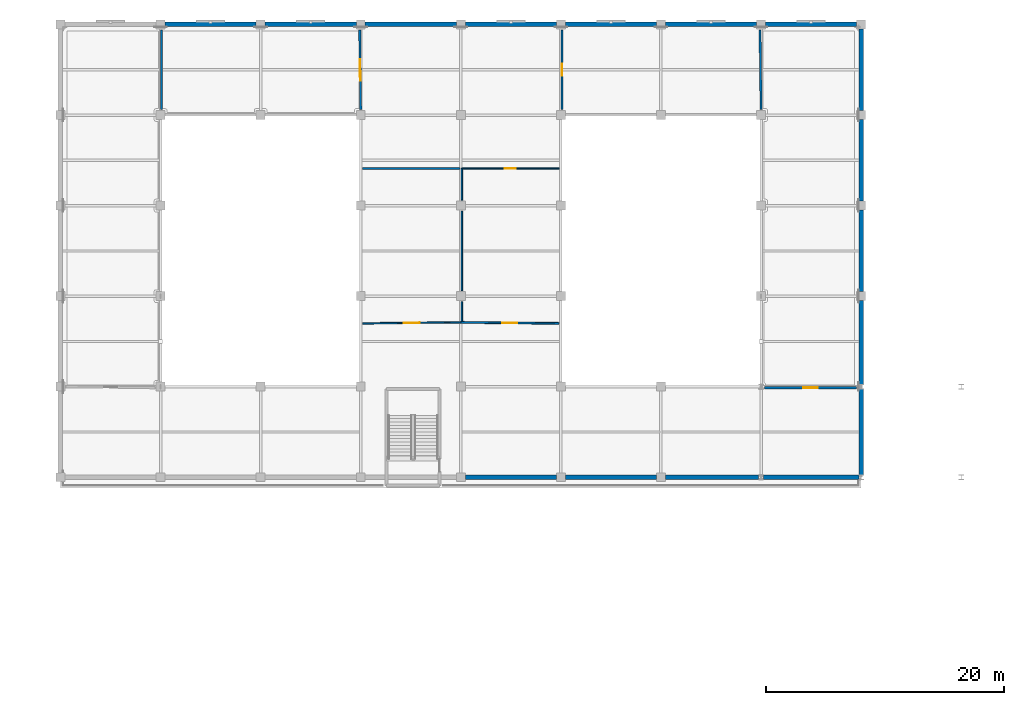
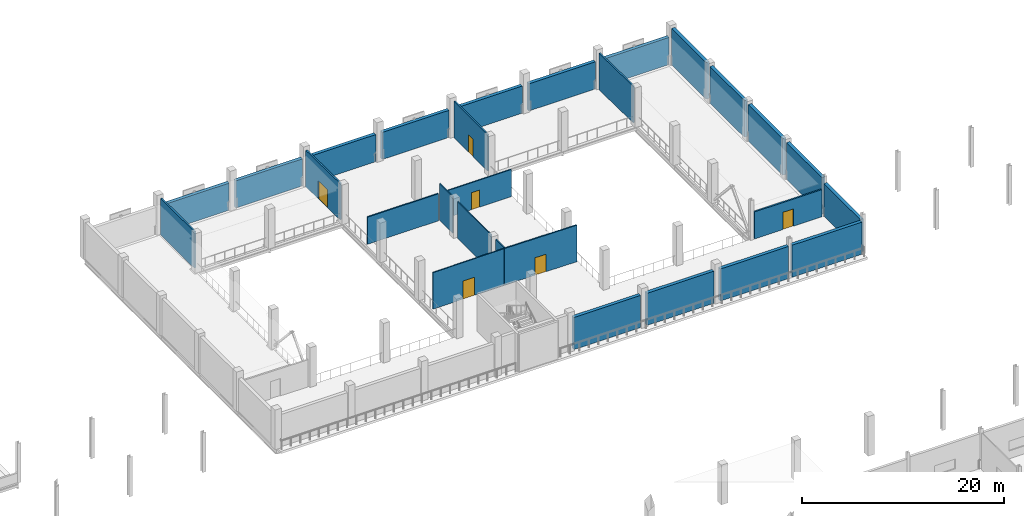
# One storey, part 29 of 51: 28 walls, 6 doors, 6 openings.
"""IFC4 building model written with IfcOpenShell, lengths in metres."""

from ifc_helpers import new_model, si_unit, direction, frame, frame_2d, origin, place, context, subcontext, project, spatial, rectangle, extrude, material, layer, layer_set, type_object, element, fill, save


model = new_model("IFC4")

# Units and contexts
model_context = context("Model", 3, precision=1e-05, world=origin(), true_north=direction((0.0, 1.0)))
body_context = subcontext(model_context, "Body", "Model", "MODEL_VIEW")
ifc_project = project(units=[si_unit("LENGTHUNIT", "METRE"), si_unit("AREAUNIT", "SQUARE_METRE"), si_unit("VOLUMEUNIT", "CUBIC_METRE"), si_unit("PLANEANGLEUNIT", "RADIAN"), si_unit("MASSUNIT", "GRAM", prefix="KILO")], contexts=[model_context])

# Site, building, storey
site_placement = place(None, origin())
site = spatial("IfcSite", under=ifc_project, at=site_placement, CompositionType="ELEMENT")
building_placement = place(site_placement, origin())
building = spatial("IfcBuilding", under=site, at=building_placement, Name="Zuvorla Pavilion Media Centre", CompositionType="ELEMENT")
storey_placement = place(building_placement, frame((0.0, 0.0, 4.800048828125)))
storey = spatial("IfcBuildingStorey", under=building, at=storey_placement, Name="L01", CompositionType="ELEMENT", Elevation=4.800048828125)

# Walls
ifc_material_1 = material(Name="Dark charcoal terracotta concrete C40/50", Category="masonry")
ifc_layer_1 = layer(ifc_material_1, 0.3798828125)
ifc_layer_set_1 = layer_set([ifc_layer_1], Name="Dark charcoal terracotta concrete C40/50")
wall_type_1 = type_object("IfcWallType", Name="WL-EXT-380", PredefinedType="SOLIDWALL", material=ifc_layer_set_1)
wall_1_placement = place(storey_placement, frame((100.77490234375, 82.0, 0.0), z_axis=(0.0, 0.0, 1.0), x_axis=(1.0, 0.0, 0.0)))
element("IfcWall", 1, at=wall_1_placement, inside=storey, type_object=wall_type_1, Name="L01 exterior solid wall EW01 124", PredefinedType="SOLIDWALL", context=body_context, shape_type="SweptSolid", body=[
    extrude(rectangle(XDim=7.650146484375, YDim=0.3798828125, at=frame_2d((3.8251953125, 0.0))), origin(), (0.0, 0.0, 1.0), 3.894775390625),
])
wall_2_placement = place(storey_placement, frame((109.175048828125, 82.0, 0.0), z_axis=(0.0, 0.0, 1.0), x_axis=(1.0, 0.0, 0.0)))
element("IfcWall", 2, at=wall_2_placement, inside=storey, type_object=wall_type_1, Name="L01 exterior solid wall EW01 125", PredefinedType="SOLIDWALL", context=body_context, shape_type="SweptSolid", body=[
    extrude(rectangle(XDim=7.64990234375, YDim=0.3798828125, at=frame_2d((3.824951171875, 0.0))), origin(), (0.0, 0.0, 1.0), 3.894775390625),
])
wall_3_placement = place(storey_placement, frame((117.574951171875, 82.0, 0.0), z_axis=(0.0, 0.0, 1.0), x_axis=(1.0, 0.0, 0.0)))
element("IfcWall", 3, at=wall_3_placement, inside=storey, type_object=wall_type_1, Name="L01 exterior solid wall EW01 126", PredefinedType="SOLIDWALL", context=body_context, shape_type="SweptSolid", body=[
    extrude(rectangle(XDim=7.825439453125, YDim=0.3798828125, at=frame_2d((3.91259765625, 0.0))), origin(), (0.0, 0.0, 1.0), 3.894775390625),
])
wall_4_placement = place(storey_placement, frame((125.799560546875, 82.0, 0.0), z_axis=(0.0, 0.0, 1.0), x_axis=(1.0, 0.0, 0.0)))
element("IfcWall", 4, at=wall_4_placement, inside=storey, type_object=wall_type_1, Name="L01 exterior solid wall EW01 127", PredefinedType="SOLIDWALL", context=body_context, shape_type="SweptSolid", body=[
    extrude(rectangle(XDim=8.0009765625, YDim=0.3798828125, at=frame_2d((4.00048828125, 0.0))), origin(), (0.0, 0.0, 1.0), 3.894775390625),
])
wall_5_placement = place(storey_placement, frame((134.0, 82.19677734375, 0.0), z_axis=(0.0, 0.0, 1.0), x_axis=(0.0, 1.0, 0.0)))
element("IfcWall", 5, at=wall_5_placement, inside=storey, type_object=wall_type_1, Name="L01 exterior solid wall EW01 128", PredefinedType="SOLIDWALL", context=body_context, shape_type="SweptSolid", body=[
    extrude(rectangle(XDim=7.20654296875, YDim=0.3798828125, at=frame_2d((3.603271484375, 0.0))), origin(), (0.0, 0.0, 1.0), 3.970458984375),
])
wall_6_placement = place(storey_placement, frame((134.0, 89.796875, 0.0), z_axis=(0.0, 0.0, 1.0), x_axis=(0.0, 1.0, 0.0)))
element("IfcWall", 6, at=wall_6_placement, inside=storey, type_object=wall_type_1, Name="L01 exterior solid wall EW01 129", PredefinedType="SOLIDWALL", context=body_context, shape_type="SweptSolid", body=[
    extrude(rectangle(XDim=7.028076171875, YDim=0.3798828125, at=frame_2d((3.51416015625, 0.0))), origin(), (0.0, 0.0, 1.0), 4.429931640625),
])
wall_7_placement = place(storey_placement, frame((134.0, 97.574951171875, 0.0), z_axis=(0.0, 0.0, 1.0), x_axis=(0.0, 1.0, 0.0)))
element("IfcWall", 7, at=wall_7_placement, inside=storey, type_object=wall_type_1, Name="L01 exterior solid wall EW01 130", PredefinedType="SOLIDWALL", context=body_context, shape_type="SweptSolid", body=[
    extrude(rectangle(XDim=6.85009765625, YDim=0.3798828125, at=frame_2d((3.425048828125, 0.0))), origin(), (0.0, 0.0, 1.0), 4.429931640625),
])
wall_8_placement = place(storey_placement, frame((134.0, 105.175048828125, 0.0), z_axis=(0.0, 0.0, 1.0), x_axis=(0.0, 1.0, 0.0)))
element("IfcWall", 8, at=wall_8_placement, inside=storey, type_object=wall_type_1, Name="L01 exterior solid wall EW01 131", PredefinedType="SOLIDWALL", context=body_context, shape_type="SweptSolid", body=[
    extrude(rectangle(XDim=6.849853515625, YDim=0.3798828125, at=frame_2d((3.4248046875, 0.0))), origin(), (0.0, 0.0, 1.0), 4.429931640625),
])
wall_9_placement = place(storey_placement, frame((134.0, 112.77490234375, 0.0), z_axis=(0.0, 0.0, 1.0), x_axis=(0.0, 1.0, 0.0)))
element("IfcWall", 9, at=wall_9_placement, inside=storey, type_object=wall_type_1, Name="L01 exterior solid wall EW01 132", PredefinedType="SOLIDWALL", context=body_context, shape_type="SweptSolid", body=[
    extrude(rectangle(XDim=6.85009765625, YDim=0.3798828125, at=frame_2d((3.425048828125, 0.0))), origin(), (0.0, 0.0, 1.0), 4.429931640625),
])
wall_10_placement = place(storey_placement, frame((133.625, 120.0, 0.0), z_axis=(0.0, 0.0, 1.0), x_axis=(-1.0, 0.0, 0.0)))
element("IfcWall", 10, at=wall_10_placement, inside=storey, type_object=wall_type_1, Name="L01 exterior solid wall EW01 133", PredefinedType="SOLIDWALL", context=body_context, shape_type="SweptSolid", body=[
    extrude(rectangle(XDim=7.64990234375, YDim=0.3798828125, at=frame_2d((3.824951171875, 0.0))), origin(), (0.0, 0.0, 1.0), 3.286865234375),
])
wall_11_placement = place(storey_placement, frame((125.22509765625, 120.0, 0.0), z_axis=(0.0, 0.0, 1.0), x_axis=(-1.0, 0.0, 0.0)))
element("IfcWall", 11, at=wall_11_placement, inside=storey, type_object=wall_type_1, Name="L01 exterior solid wall EW01 134", PredefinedType="SOLIDWALL", context=body_context, shape_type="SweptSolid", body=[
    extrude(rectangle(XDim=7.650146484375, YDim=0.3798828125, at=frame_2d((3.8251953125, 0.0))), origin(), (0.0, 0.0, 1.0), 3.286865234375),
])
wall_12_placement = place(storey_placement, frame((116.824951171875, 120.0, 0.0), z_axis=(0.0, 0.0, 1.0), x_axis=(-1.0, 0.0, 0.0)))
element("IfcWall", 12, at=wall_12_placement, inside=storey, type_object=wall_type_1, Name="L01 exterior solid wall EW01 135", PredefinedType="SOLIDWALL", context=body_context, shape_type="SweptSolid", body=[
    extrude(rectangle(XDim=7.64990234375, YDim=0.3798828125, at=frame_2d((3.824951171875, 0.0))), origin(), (0.0, 0.0, 1.0), 3.286865234375),
])
wall_13_placement = place(storey_placement, frame((108.425048828125, 120.0, 0.0), z_axis=(0.0, 0.0, 1.0), x_axis=(-1.0, 0.0, 0.0)))
element("IfcWall", 13, at=wall_13_placement, inside=storey, type_object=wall_type_1, Name="L01 exterior solid wall EW01 136", PredefinedType="SOLIDWALL", context=body_context, shape_type="SweptSolid", body=[
    extrude(rectangle(XDim=7.650146484375, YDim=0.3798828125, at=frame_2d((3.8251953125, 0.0))), origin(), (0.0, 0.0, 1.0), 3.286865234375),
])
for number, where, z_axis, x_axis, name in (
    (14, (100.02490234375, 120.0, 0.0), (0.0, 0.0, 1.0), (-1.0, 0.0, 0.0), "L01 exterior solid wall EW01 137"),
    (15, (91.625, 120.0, 0.0), (0.0, 0.0, 1.0), (-1.0, 0.0, 0.0), "L01 exterior solid wall EW01 138"),
):
    element("IfcWall", number, at=place(storey_placement, frame(where, z_axis=z_axis, x_axis=x_axis)), inside=storey, type_object=wall_type_1, Name=name, PredefinedType="SOLIDWALL", context=body_context, shape_type="SweptSolid", body=[
        extrude(rectangle(XDim=7.64990234375, YDim=0.3798828125, at=frame_2d((3.824951171875, 0.0))), origin(), (0.0, 0.0, 1.0), 3.286865234375),
    ])
wall_14_placement = place(storey_placement, frame((83.22509765625, 120.0, 0.0), z_axis=(0.0, 0.0, 1.0), x_axis=(-1.0, 0.0, 0.0)))
element("IfcWall", 16, at=wall_14_placement, inside=storey, type_object=wall_type_1, Name="L01 exterior solid wall EW01 139", PredefinedType="SOLIDWALL", context=body_context, shape_type="SweptSolid", body=[
    extrude(rectangle(XDim=7.650146484375, YDim=0.3798828125, at=frame_2d((3.8251953125, 0.0))), origin(), (0.0, 0.0, 1.0), 3.286865234375),
])

# Wall, opening, door
ifc_material_2 = material(Name="Lightweight gypsum partition")
ifc_layer_2 = layer(ifc_material_2, 0.1201171875)
ifc_layer_set_2 = layer_set([ifc_layer_2], Name="Lightweight gypsum partition")
wall_type_2 = type_object("IfcWallType", Name="WL-PRT-120", PredefinedType="PARTITIONING", material=ifc_layer_set_2)
wall_15_placement = place(storey_placement, frame((92.159912109375, 94.910888671875, 0.0), z_axis=(0.0, 0.0, 1.0), x_axis=(0.999942934865, 0.010683024548, 0.0)))
wall_15 = element("IfcWall", 17, at=wall_15_placement, inside=storey, type_object=wall_type_2, Name="L01 partition PT12 471", PredefinedType="PARTITIONING", context=body_context, shape_type="SweptSolid", body=[
    extrude(rectangle(XDim=8.25, YDim=0.1201171875, at=frame_2d((4.125, 0.0))), origin(), (0.0, 0.0, 1.0), 4.429931640625),
])
opening_1_placement = place(wall_15_placement, frame((3.449951171875, 0.0, 0.0)))
opening_1 = element("IfcOpeningElement", 18, at=opening_1_placement, cuts=wall_15, Name="Opening ID08", PredefinedType="OPENING", context=body_context, shape_type="SweptSolid", body=[
    extrude(rectangle(XDim=1.35009765625, YDim=2.179931640625, at=frame_2d((0.675048828125, 1.08984375))), frame((0.0, 0.070068359375, 0.0), z_axis=(0.0, -1.0, 0.0), x_axis=(1.0, 0.0, 0.0)), (0.0, 0.0, 1.0), 0.14013671875),
])
ifc_material_3 = material(Name="Hardwood acoustic studio door in anodised frame", Category="wood")
door_type_1 = type_object("IfcDoorType", Name="DR-UNR-ID08", OperationType="NOTDEFINED", PredefinedType="DOOR", material=ifc_material_3)
door_1_placement = place(opening_1_placement, origin())
door_1 = element("IfcDoor", 19, at=door_1_placement, inside=storey, type_object=door_type_1, Name="Interior door ID08 188", OperationType="DOUBLE_DOOR_SINGLE_SWING", OverallHeight=2.179931640625, OverallWidth=1.35009765625, PredefinedType="DOOR", context=body_context, shape_type="SweptSolid", body=[
    extrude(rectangle(XDim=1.35009765625, YDim=2.179931640625, at=frame_2d((0.675048828125, 1.08984375))), frame((0.0, 0.02490234375, 0.0), z_axis=(0.0, -1.0, 0.0), x_axis=(1.0, 0.0, 0.0)), (0.0, 0.0, 1.0), 0.050048828125),
])
fill(opening_1, door_1)

# Walls
wall_16_placement = place(storey_placement, frame((100.489990234375, 97.6650390625, 0.0), z_axis=(0.0, 0.0, 1.0), x_axis=(0.0, 1.0, 0.0)))
element("IfcWall", 20, at=wall_16_placement, inside=storey, type_object=wall_type_2, Name="L01 partition PT12 485", PredefinedType="PARTITIONING", context=body_context, shape_type="SweptSolid", body=[
    extrude(rectangle(XDim=6.669921875, YDim=0.1201171875, at=frame_2d((3.3349609375, 0.0))), origin(), (0.0, 0.0, 1.0), 4.429931640625),
])
wall_17_placement = place(storey_placement, frame((100.489990234375, 105.264892578125, 0.0), z_axis=(0.0, 0.0, 1.0), x_axis=(0.0, 1.0, 0.0)))
element("IfcWall", 21, at=wall_17_placement, inside=storey, type_object=wall_type_2, Name="L01 partition PT12 486", PredefinedType="PARTITIONING", context=body_context, shape_type="SweptSolid", body=[
    extrude(rectangle(XDim=2.655029296875, YDim=0.1201171875, at=frame_2d((1.32763671875, 0.0))), origin(), (0.0, 0.0, 1.0), 4.429931640625),
])
wall_18_placement = place(storey_placement, frame((100.489990234375, 95.090087890625, 0.0), z_axis=(0.0, 0.0, 1.0), x_axis=(0.0, 1.0, 0.0)))
element("IfcWall", 22, at=wall_18_placement, inside=storey, type_object=wall_type_2, Name="L01 partition PT12 487", PredefinedType="PARTITIONING", context=body_context, shape_type="SweptSolid", body=[
    extrude(rectangle(XDim=1.64501953125, YDim=0.1201171875, at=frame_2d((0.822509765625, 0.0))), origin(), (0.0, 0.0, 1.0), 4.429931640625),
])

# Wall, opening, door
wall_19_placement = place(storey_placement, frame((100.47998046875, 107.90869140625, 0.0), z_axis=(0.0, 0.0, 1.0), x_axis=(0.99999998881, 0.000149597581, 0.0)))
wall_19 = element("IfcWall", 23, at=wall_19_placement, inside=storey, type_object=wall_type_2, Name="L01 partition PT12 488", PredefinedType="PARTITIONING", context=body_context, shape_type="SweptSolid", body=[
    extrude(rectangle(XDim=8.159912109375, YDim=0.1201171875, at=frame_2d((4.080078125, 0.0))), origin(), (0.0, 0.0, 1.0), 3.286865234375),
])
opening_2_placement = place(wall_19_placement, frame((3.6201171875, 0.0, 0.0)))
opening_2 = element("IfcOpeningElement", 24, at=opening_2_placement, cuts=wall_19, Name="Opening ID02", PredefinedType="OPENING", context=body_context, shape_type="SweptSolid", body=[
    extrude(rectangle(XDim=0.919921875, YDim=2.080078125, at=frame_2d((0.4599609375, 1.0400390625))), frame((0.0, 0.070068359375, 0.0), z_axis=(0.0, -1.0, 0.0), x_axis=(1.0, 0.0, 0.0)), (0.0, 0.0, 1.0), 0.14013671875),
])
door_type_2 = type_object("IfcDoorType", Name="DR-UNR-ID02", OperationType="NOTDEFINED", PredefinedType="DOOR", material=ifc_material_3)
door_2_placement = place(opening_2_placement, origin())
door_2 = element("IfcDoor", 25, at=door_2_placement, inside=storey, type_object=door_type_2, Name="Interior door ID02 199", OperationType="SINGLE_SWING_LEFT", OverallHeight=2.080078125, OverallWidth=0.919921875, PredefinedType="DOOR", context=body_context, shape_type="SweptSolid", body=[
    extrude(rectangle(XDim=0.919921875, YDim=2.080078125, at=frame_2d((0.4599609375, 1.0400390625))), frame((0.0, 0.02490234375, 0.0), z_axis=(0.0, -1.0, 0.0), x_axis=(1.0, 0.0, 0.0)), (0.0, 0.0, 1.0), 0.050048828125),
])
fill(opening_2, door_2)

ifc_material_4 = material(Name="Acoustic gypsum stud partition")
ifc_layer_3 = layer(ifc_material_4, 0.14990234375)
ifc_layer_set_3 = layer_set([ifc_layer_3], Name="Acoustic gypsum stud partition")
wall_type_3 = type_object("IfcWallType", Name="WL-PRT-150", PredefinedType="PARTITIONING", material=ifc_layer_set_3)
wall_20_placement = place(storey_placement, frame((100.380615234375, 94.9990234375, 0.0), z_axis=(0.0, 0.0, 1.0), x_axis=(0.999943069719, -0.010670394566, 0.0)))
wall_20 = element("IfcWall", 26, at=wall_20_placement, inside=storey, type_object=wall_type_3, Name="L01 partition PT15 470", PredefinedType="PARTITIONING", context=body_context, shape_type="SweptSolid", body=[
    extrude(rectangle(XDim=8.259765625, YDim=0.14990234375, at=frame_2d((4.1298828125, 0.0))), origin(), (0.0, 0.0, 1.0), 4.429931640625),
])
opening_3_placement = place(wall_20_placement, frame((3.5048828125, 0.0, 0.0)))
opening_3 = element("IfcOpeningElement", 27, at=opening_3_placement, cuts=wall_20, Name="Opening ID07", PredefinedType="OPENING", context=body_context, shape_type="SweptSolid", body=[
    extrude(rectangle(XDim=1.25, YDim=2.1201171875, at=frame_2d((0.625, 1.06005859375))), frame((0.0, 0.0849609375, 0.0), z_axis=(0.0, -1.0, 0.0), x_axis=(1.0, 0.0, 0.0)), (0.0, 0.0, 1.0), 0.169921875),
])
door_type_3 = type_object("IfcDoorType", Name="DR-UNR-ID07", OperationType="NOTDEFINED", PredefinedType="DOOR", material=ifc_material_3)
door_3_placement = place(opening_3_placement, origin())
door_3 = element("IfcDoor", 28, at=door_3_placement, inside=storey, type_object=door_type_3, Name="Interior door ID07 187", OperationType="SINGLE_SWING_LEFT", OverallHeight=2.1201171875, OverallWidth=1.25, PredefinedType="DOOR", context=body_context, shape_type="SweptSolid", body=[
    extrude(rectangle(XDim=1.25, YDim=2.1201171875, at=frame_2d((0.625, 1.06005859375))), frame((0.0, 0.02490234375, 0.0), z_axis=(0.0, -1.0, 0.0), x_axis=(1.0, 0.0, 0.0)), (0.0, 0.0, 1.0), 0.050048828125),
])
fill(opening_3, door_3)

# Wall
wall_21_placement = place(storey_placement, frame((92.159912109375, 107.909912109375, 0.0), z_axis=(0.0, 0.0, 1.0), x_axis=(0.999999988783, -0.000149776831, 0.0)))
element("IfcWall", 29, at=wall_21_placement, inside=storey, type_object=wall_type_3, Name="L01 partition PT15 489", PredefinedType="PARTITIONING", context=body_context, shape_type="SweptSolid", body=[
    extrude(rectangle(XDim=8.150146484375, YDim=0.14990234375, at=frame_2d((4.0751953125, 0.0))), origin(), (0.0, 0.0, 1.0), 3.286865234375),
])

# Wall, opening, door
wall_22_placement = place(storey_placement, frame((108.889892578125, 112.864990234375, 0.0), z_axis=(0.0, 0.0, 1.0), x_axis=(0.0, 1.0, 0.0)))
wall_22 = element("IfcWall", 30, at=wall_22_placement, inside=storey, type_object=wall_type_3, Name="L01 partition PT15 492", PredefinedType="PARTITIONING", context=body_context, shape_type="SweptSolid", body=[
    extrude(rectangle(XDim=6.655029296875, YDim=0.14990234375, at=frame_2d((3.32763671875, 0.0))), origin(), (0.0, 0.0, 1.0), 4.429931640625),
])
opening_4_placement = place(wall_22_placement, frame((2.83740234375, 0.0, 0.0)))
opening_4 = element("IfcOpeningElement", 31, at=opening_4_placement, cuts=wall_22, Name="Opening ID03", PredefinedType="OPENING", context=body_context, shape_type="SweptSolid", body=[
    extrude(rectangle(XDim=0.97998046875, YDim=2.080078125, at=frame_2d((0.489990234375, 1.0400390625))), frame((0.0, 0.0849609375, 0.0), z_axis=(0.0, -1.0, 0.0), x_axis=(1.0, 0.0, 0.0)), (0.0, 0.0, 1.0), 0.169921875),
])
door_type_4 = type_object("IfcDoorType", Name="DR-UNR-ID03", OperationType="NOTDEFINED", PredefinedType="DOOR", material=ifc_material_3)
door_4_placement = place(opening_4_placement, origin())
door_4 = element("IfcDoor", 32, at=door_4_placement, inside=storey, type_object=door_type_4, Name="Interior door ID03 201", OperationType="SINGLE_SWING_RIGHT", OverallHeight=2.080078125, OverallWidth=0.97998046875, PredefinedType="DOOR", context=body_context, shape_type="SweptSolid", body=[
    extrude(rectangle(XDim=0.97998046875, YDim=2.080078125, at=frame_2d((0.489990234375, 1.0400390625))), frame((0.0, 0.02490234375, 0.0), z_axis=(0.0, -1.0, 0.0), x_axis=(1.0, 0.0, 0.0)), (0.0, 0.0, 1.0), 0.050048828125),
])
fill(opening_4, door_4)

ifc_material_5 = material(Name="Double acoustic gypsum stud partition")
ifc_layer_4 = layer(ifc_material_5, 0.179931640625)
ifc_layer_set_4 = layer_set([ifc_layer_4], Name="Double acoustic gypsum stud partition")
wall_type_4 = type_object("IfcWallType", Name="WL-PRT-180", PredefinedType="PARTITIONING", material=ifc_layer_set_4)
wall_23_placement = place(storey_placement, frame((125.889404296875, 89.510009765625, 0.0), z_axis=(0.0, 0.0, 1.0), x_axis=(1.0, 0.0, 0.0)))
wall_23 = element("IfcWall", 33, at=wall_23_placement, inside=storey, type_object=wall_type_4, Name="L01 partition PT18 473", PredefinedType="PARTITIONING", context=body_context, shape_type="SweptSolid", body=[
    extrude(rectangle(XDim=7.710693359375, YDim=0.179931640625, at=frame_2d((3.85546875, 0.0))), origin(), (0.0, 0.0, 1.0), 3.286865234375),
])
opening_5_placement = place(wall_23_placement, frame((3.255126953125, 0.0, 0.0)))
opening_5 = element("IfcOpeningElement", 34, at=opening_5_placement, cuts=wall_23, Name="Opening FD06", PredefinedType="OPENING", context=body_context, shape_type="SweptSolid", body=[
    extrude(rectangle(XDim=1.199951171875, YDim=2.10009765625, at=frame_2d((0.60009765625, 1.050048828125))), frame((0.0, 0.099853515625, 0.0), z_axis=(0.0, -1.0, 0.0), x_axis=(1.0, 0.0, 0.0)), (0.0, 0.0, 1.0), 0.199951171875),
])
ifc_material_6 = material(Name="Acoustic timber fire door leaf in steel frame", Category="steel")
door_type_5 = type_object("IfcDoorType", Name="DR-INT-FD06", OperationType="NOTDEFINED", PredefinedType="DOOR", material=ifc_material_6)
door_5_placement = place(opening_5_placement, origin())
door_5 = element("IfcDoor", 35, at=door_5_placement, inside=storey, type_object=door_type_5, Name="Interior door FD06 190", OperationType="SINGLE_SWING_LEFT", OverallHeight=2.10009765625, OverallWidth=1.199951171875, PredefinedType="DOOR", context=body_context, shape_type="SweptSolid", body=[
    extrude(rectangle(XDim=1.199951171875, YDim=2.10009765625, at=frame_2d((0.60009765625, 1.050048828125))), frame((0.0, 0.02490234375, 0.0), z_axis=(0.0, -1.0, 0.0), x_axis=(1.0, 0.0, 0.0)), (0.0, 0.0, 1.0), 0.050048828125),
])
fill(opening_5, door_5)

wall_24_placement = place(storey_placement, frame((91.9111328125, 119.52001953125, 0.0), z_axis=(0.0, 0.0, 1.0), x_axis=(0.013168820212, -0.999913287328, 0.0)))
wall_24 = element("IfcWall", 36, at=wall_24_placement, inside=storey, type_object=wall_type_4, Name="L01 partition PT18 490", PredefinedType="PARTITIONING", context=body_context, shape_type="SweptSolid", body=[
    extrude(rectangle(XDim=6.655517578125, YDim=0.179931640625, at=frame_2d((3.32763671875, 0.0))), origin(), (0.0, 0.0, 1.0), 4.429931640625),
])
opening_6_placement = place(wall_24_placement, frame((2.427734375, 0.0, 0.0)))
opening_6 = element("IfcOpeningElement", 37, at=opening_6_placement, cuts=wall_24, Name="Opening FD10", PredefinedType="OPENING", context=body_context, shape_type="SweptSolid", body=[
    extrude(rectangle(XDim=1.800048828125, YDim=2.199951171875, at=frame_2d((0.89990234375, 1.10009765625))), frame((0.0, 0.099853515625, 0.0), z_axis=(0.0, -1.0, 0.0), x_axis=(1.0, 0.0, 0.0)), (0.0, 0.0, 1.0), 0.199951171875),
])
door_type_6 = type_object("IfcDoorType", Name="DR-INT-FD10", OperationType="NOTDEFINED", PredefinedType="DOOR", material=ifc_material_6)
door_6_placement = place(opening_6_placement, origin())
door_6 = element("IfcDoor", 38, at=door_6_placement, inside=storey, type_object=door_type_6, Name="Interior door FD10 200", OperationType="DOUBLE_DOOR_SINGLE_SWING", OverallHeight=2.199951171875, OverallWidth=1.800048828125, PredefinedType="DOOR", context=body_context, shape_type="SweptSolid", body=[
    extrude(rectangle(XDim=1.800048828125, YDim=2.199951171875, at=frame_2d((0.89990234375, 1.10009765625))), frame((0.0, 0.02490234375, 0.0), z_axis=(0.0, -1.0, 0.0), x_axis=(1.0, 0.0, 0.0)), (0.0, 0.0, 1.0), 0.050048828125),
])
fill(opening_6, door_6)

# Walls
wall_25_placement = place(storey_placement, frame((75.2900390625, 112.864990234375, 0.0), z_axis=(0.0, 0.0, 1.0), x_axis=(0.0, 1.0, 0.0)))
element("IfcWall", 39, at=wall_25_placement, inside=storey, type_object=wall_type_4, Name="L01 partition PT18 491", PredefinedType="PARTITIONING", context=body_context, shape_type="SweptSolid", body=[
    extrude(rectangle(XDim=6.655029296875, YDim=0.179931640625, at=frame_2d((3.32763671875, 0.0))), origin(), (0.0, 0.0, 1.0), 4.429931640625),
])
wall_26_placement = place(storey_placement, frame((125.510986328125, 119.52001953125, 0.0), z_axis=(0.0, 0.0, 1.0), x_axis=(0.013205495774, -0.999912803639, 0.0)))
element("IfcWall", 40, at=wall_26_placement, inside=storey, type_object=wall_type_4, Name="L01 partition PT18 493", PredefinedType="PARTITIONING", context=body_context, shape_type="SweptSolid", body=[
    extrude(rectangle(XDim=6.655517578125, YDim=0.179931640625, at=frame_2d((3.32763671875, 0.0))), origin(), (0.0, 0.0, 1.0), 4.429931640625),
])

save(model, "model.ifc")
